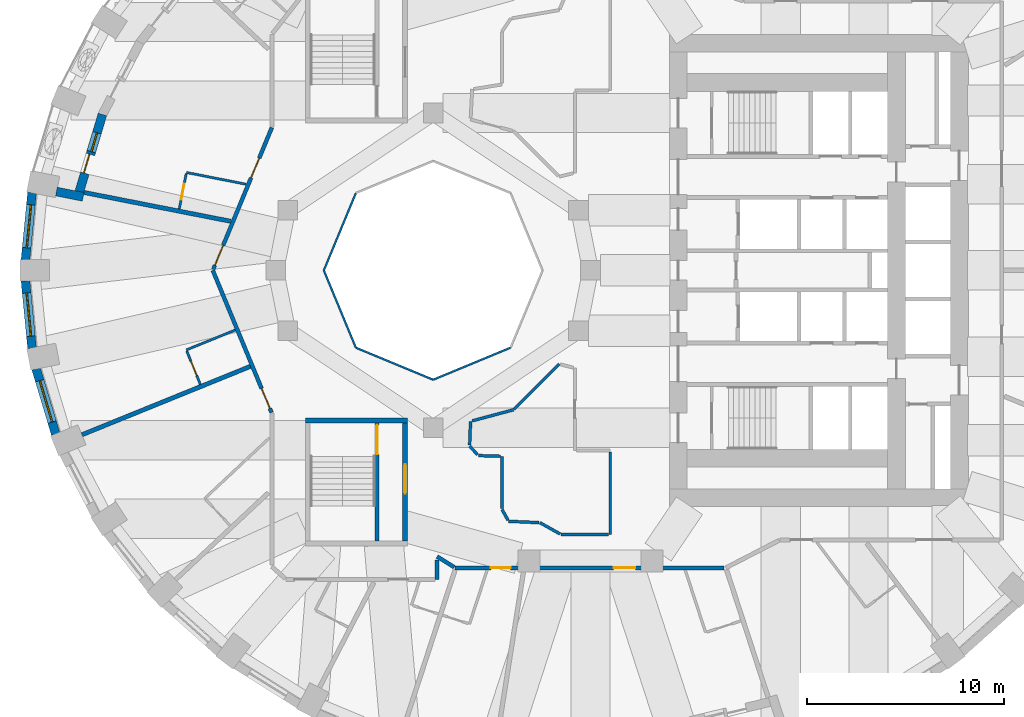
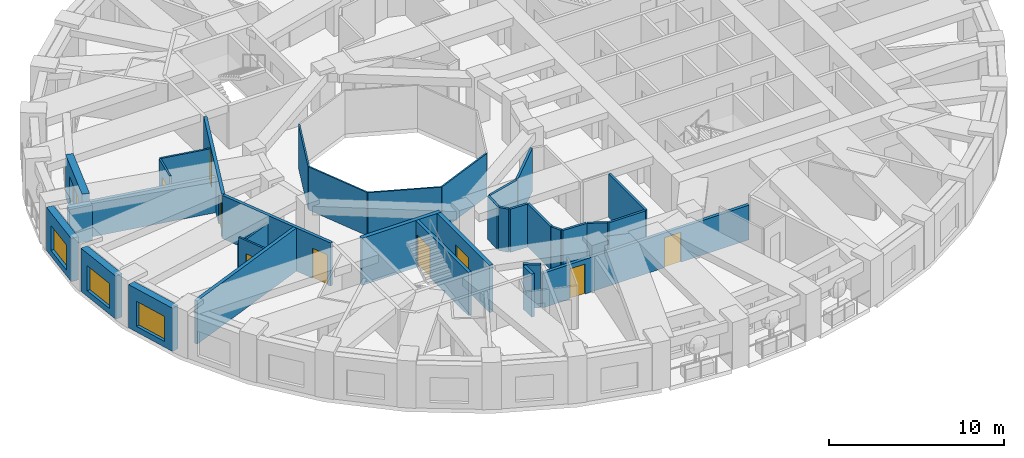
# One storey, part 4 of 13: 34 walls, 10 doors, 4 windows, 14 openings.
"""IFC4 building model written with IfcOpenShell, lengths in metres."""

from ifc_helpers import new_model, si_unit, direction, frame, frame_2d, origin, place, context, subcontext, project, spatial, rectangle, extrude, material, layer, layer_set, type_object, element, fill, save


model = new_model("IFC4")

# Units and contexts
model_context = context("Model", 3, precision=1e-05, world=origin(), true_north=direction((0.0, 1.0)))
body_context = subcontext(model_context, "Body", "Model", "MODEL_VIEW")
ifc_project = project(units=[si_unit("LENGTHUNIT", "METRE"), si_unit("AREAUNIT", "SQUARE_METRE"), si_unit("VOLUMEUNIT", "CUBIC_METRE"), si_unit("PLANEANGLEUNIT", "RADIAN"), si_unit("MASSUNIT", "GRAM", prefix="KILO")], contexts=[model_context])

# Site, building, storey
site_placement = place(None, origin())
site = spatial("IfcSite", under=ifc_project, at=site_placement, CompositionType="ELEMENT")
building_placement = place(site_placement, origin())
building = spatial("IfcBuilding", under=site, at=building_placement, Name="Taillehof Tower", CompositionType="ELEMENT")
storey_placement = place(building_placement, frame((0.0, 0.0, 74.5)))
storey = spatial("IfcBuildingStorey", under=building, at=storey_placement, Name="L20", CompositionType="ELEMENT", Elevation=74.5)

# Walls
ifc_material_1 = material(Name="Fire-resisting glass in steel frame", Category="steel")
ifc_layer_1 = layer(ifc_material_1, 0.10009765625)
ifc_layer_set_1 = layer_set([ifc_layer_1], Name="Atrium fire-resisting screen EI 60 100")
wall_type_1 = type_object("IfcWallType", Name="Atrium fire-resisting screen EI 60 100", PredefinedType="PARTITIONING", material=ifc_layer_set_1)
for number, where, z_axis, x_axis, name in (
    (1, (-4.07275390625, -3.92724609375, 0.0), (0.0, 0.0, 1.0), (-0.923860025149, -0.382730523909, 0.0), "Atrium screen"),
    (2, (-8.0, -5.55419921875, 0.0), (0.0, 0.0, 1.0), (-0.923860025149, 0.382730523909, 0.0), "Atrium screen"),
    (3, (-11.92724609375, -3.92724609375, 0.0), (0.0, 0.0, 1.0), (-0.382730523909, 0.923860025149, 0.0), "Atrium screen"),
    (4, (-13.55419921875, 0.0, 0.0), (0.0, 0.0, 1.0), (0.382730523909, 0.923860025149, 0.0), "Atrium screen"),
):
    element("IfcWall", number, at=place(storey_placement, frame(where, z_axis=z_axis, x_axis=x_axis)), inside=storey, type_object=wall_type_1, Name=name, PredefinedType="PARTITIONING", context=body_context, shape_type="SweptSolid", body=[
        extrude(rectangle(XDim=4.2509765625, YDim=0.10009765625, at=frame_2d((2.12548828125, 0.0))), origin(), (0.0, 0.0, 1.0), 3.02001953125),
    ])

# Wall, opening, window
ifc_material_2 = material(Name="Brick masonry", Category="masonry")
ifc_layer_2 = layer(ifc_material_2, 0.449951171875)
ifc_layer_set_2 = layer_set([ifc_layer_2], Name="Brick infill wall 450")
wall_type_2 = type_object("IfcWallType", Name="Brick infill wall 450", PredefinedType="SOLIDWALL", material=ifc_layer_set_2)
wall_1_placement = place(storey_placement, frame((-28.38671875, 3.95556640625, 0.0), z_axis=(0.0, 0.0, 1.0), x_axis=(-0.097389581596, -0.995246336038, 0.0)))
wall_1 = element("IfcWall", 5, at=wall_1_placement, inside=storey, type_object=wall_type_2, Name="Brick wall L20 bay 18", PredefinedType="SOLIDWALL", context=body_context, shape_type="SweptSolid", body=[
    extrude(rectangle(XDim=3.44189453125, YDim=0.449951171875, at=frame_2d((1.720947265625, 0.0))), origin(), (0.0, 0.0, 1.0), 3.02001953125),
])
opening_1_placement = place(wall_1_placement, frame((0.62109375, 0.0, 0.39990234375)))
opening_1 = element("IfcOpeningElement", 6, at=opening_1_placement, cuts=wall_1, Name="Opening W1", PredefinedType="OPENING", context=body_context, shape_type="SweptSolid", body=[
    extrude(rectangle(XDim=2.199951171875, YDim=1.75, at=frame_2d((1.10009765625, 0.875))), frame((0.0, 0.23486328125, 0.0), z_axis=(0.0, -1.0, 0.0), x_axis=(1.0, 0.0, 0.0)), (0.0, 0.0, 1.0), 0.469970703125),
])
ifc_material_3 = material(Name="Aluminium window frame with clear double glazing", Category="aluminium")
window_type_1 = type_object("IfcWindowType", Name="Deep-set window 2200x1750", PartitioningType="SINGLE_PANEL", PredefinedType="WINDOW", material=ifc_material_3)
window_1_placement = place(opening_1_placement, origin())
window_1 = element("IfcWindow", 7, at=window_1_placement, inside=storey, type_object=window_type_1, Name="W1", OverallHeight=1.75, OverallWidth=2.199951171875, PartitioningType="SINGLE_PANEL", PredefinedType="WINDOW", context=body_context, shape_type="SweptSolid", body=[
    extrude(rectangle(XDim=2.199951171875, YDim=1.75, at=frame_2d((1.10009765625, 0.875))), frame((0.0, 0.034912109375, 0.0), z_axis=(0.0, -1.0, 0.0), x_axis=(1.0, 0.0, 0.0)), (0.0, 0.0, 1.0), 0.06005859375),
])
fill(opening_1, window_1)

wall_2_placement = place(storey_placement, frame((-28.721923828125, -0.530029296875, 0.0), z_axis=(0.0, 0.0, 1.0), x_axis=(0.097389581596, -0.995246336038, 0.0)))
wall_2 = element("IfcWall", 8, at=wall_2_placement, inside=storey, type_object=wall_type_2, Name="Brick wall L20 bay 19", PredefinedType="SOLIDWALL", context=body_context, shape_type="SweptSolid", body=[
    extrude(rectangle(XDim=3.44189453125, YDim=0.449951171875, at=frame_2d((1.720947265625, 0.0))), origin(), (0.0, 0.0, 1.0), 3.02001953125),
])
opening_2_placement = place(wall_2_placement, frame((0.62109375, 0.0, 0.39990234375)))
opening_2 = element("IfcOpeningElement", 9, at=opening_2_placement, cuts=wall_2, Name="Opening W1", PredefinedType="OPENING", context=body_context, shape_type="SweptSolid", body=[
    extrude(rectangle(XDim=2.199951171875, YDim=1.75, at=frame_2d((1.10009765625, 0.875))), frame((0.0, 0.23486328125, 0.0), z_axis=(0.0, -1.0, 0.0), x_axis=(1.0, 0.0, 0.0)), (0.0, 0.0, 1.0), 0.469970703125),
])
window_2_placement = place(opening_2_placement, origin())
window_2 = element("IfcWindow", 10, at=window_2_placement, inside=storey, type_object=window_type_1, Name="W1", OverallHeight=1.75, OverallWidth=2.199951171875, PartitioningType="SINGLE_PANEL", PredefinedType="WINDOW", context=body_context, shape_type="SweptSolid", body=[
    extrude(rectangle(XDim=2.199951171875, YDim=1.75, at=frame_2d((1.10009765625, 0.875))), frame((0.0, 0.034912109375, 0.0), z_axis=(0.0, -1.0, 0.0), x_axis=(1.0, 0.0, 0.0)), (0.0, 0.0, 1.0), 0.06005859375),
])
fill(opening_2, window_2)

wall_3_placement = place(storey_placement, frame((-28.181884765625, -4.995849609375, 0.0), z_axis=(0.0, 0.0, 1.0), x_axis=(0.287064133733, -0.957911364963, 0.0)))
wall_3 = element("IfcWall", 11, at=wall_3_placement, inside=storey, type_object=wall_type_2, Name="Brick wall L20 bay 20", PredefinedType="SOLIDWALL", context=body_context, shape_type="SweptSolid", body=[
    extrude(rectangle(XDim=3.473388671875, YDim=0.449951171875, at=frame_2d((1.73681640625, 0.0))), origin(), (0.0, 0.0, 1.0), 3.02001953125),
])
opening_3_placement = place(wall_3_placement, frame((0.63671875, 0.0, 0.39990234375)))
opening_3 = element("IfcOpeningElement", 12, at=opening_3_placement, cuts=wall_3, Name="Opening W1", PredefinedType="OPENING", context=body_context, shape_type="SweptSolid", body=[
    extrude(rectangle(XDim=2.199951171875, YDim=1.75, at=frame_2d((1.10009765625, 0.875))), frame((0.0, 0.23486328125, 0.0), z_axis=(0.0, -1.0, 0.0), x_axis=(1.0, 0.0, 0.0)), (0.0, 0.0, 1.0), 0.469970703125),
])
window_3_placement = place(opening_3_placement, origin())
window_3 = element("IfcWindow", 13, at=window_3_placement, inside=storey, type_object=window_type_1, Name="W1", OverallHeight=1.75, OverallWidth=2.199951171875, PartitioningType="SINGLE_PANEL", PredefinedType="WINDOW", context=body_context, shape_type="SweptSolid", body=[
    extrude(rectangle(XDim=2.199951171875, YDim=1.75, at=frame_2d((1.10009765625, 0.875))), frame((0.0, 0.034912109375, 0.0), z_axis=(0.0, -1.0, 0.0), x_axis=(1.0, 0.0, 0.0)), (0.0, 0.0, 1.0), 0.06005859375),
])
fill(opening_3, window_3)

# Wall
wall_4_placement = place(storey_placement, frame((-27.15087890625, 4.008544921875, 0.0), z_axis=(0.0, 0.0, 1.0), x_axis=(0.981197182729, -0.1930080014, 0.0)))
element("IfcWall", 14, at=wall_4_placement, inside=storey, type_object=wall_type_2, Name="Brick reveal L20 pocket 4", PredefinedType="SOLIDWALL", context=body_context, shape_type="SweptSolid", body=[
    extrude(rectangle(XDim=1.39013671875, YDim=0.449951171875, at=frame_2d((0.695068359375, 0.0))), origin(), (0.0, 0.0, 1.0), 2.469970703125),
])

# Wall, openings, door, window
wall_5_placement = place(storey_placement, frame((-24.811767578125, 7.92529296875, 0.0), z_axis=(0.0, 0.0, 1.0), x_axis=(-0.286389028326, -0.95811341941, 0.0)))
wall_5 = element("IfcWall", 15, at=wall_5_placement, inside=storey, type_object=wall_type_2, Name="Brick wall L20 pocket bay 17", PredefinedType="SOLIDWALL", context=body_context, shape_type="SweptSolid", body=[
    extrude(rectangle(XDim=4.08837890625, YDim=0.449951171875, at=frame_2d((2.044189453125, 0.0))), origin(), (0.0, 0.0, 1.0), 3.02001953125),
])
opening_4_placement = place(wall_5_placement, frame((0.96923828125, 0.0, 0.39990234375)))
opening_4 = element("IfcOpeningElement", 16, at=opening_4_placement, cuts=wall_5, Name="Opening W5", PredefinedType="OPENING", context=body_context, shape_type="SweptSolid", body=[
    extrude(rectangle(XDim=1.0, YDim=1.75, at=frame_2d((0.5, 0.875))), frame((0.0, 0.23486328125, 0.0), z_axis=(0.0, -1.0, 0.0), x_axis=(1.0, 0.0, 0.0)), (0.0, 0.0, 1.0), 0.469970703125),
])
opening_5_placement = place(wall_5_placement, frame((2.119140625, 0.0, 0.0)))
opening_5 = element("IfcOpeningElement", 17, at=opening_5_placement, cuts=wall_5, Name="Opening D2096", PredefinedType="OPENING", context=body_context, shape_type="SweptSolid", body=[
    extrude(rectangle(XDim=1.0, YDim=2.14990234375, at=frame_2d((0.5, 1.074951171875))), frame((0.0, 0.23486328125, 0.0), z_axis=(0.0, -1.0, 0.0), x_axis=(1.0, 0.0, 0.0)), (0.0, 0.0, 1.0), 0.469970703125),
])
ifc_material_4 = material(Name="Aluminium door frame with clear double glazing", Category="aluminium")
door_type_1 = type_object("IfcDoorType", Name="Balcony door 1000x2150", OperationType="SINGLE_SWING_RIGHT", PredefinedType="DOOR", material=ifc_material_4)
door_1_placement = place(opening_5_placement, frame((1.0, 0.0, 0.0), z_axis=(0.0, 0.0, 1.0), x_axis=(-1.0, 0.0, 0.0)))
door_1 = element("IfcDoor", 18, at=door_1_placement, inside=storey, type_object=door_type_1, Name="Balcony door L20 bay 17", OperationType="SINGLE_SWING_LEFT", OverallHeight=2.14990234375, OverallWidth=1.0, PredefinedType="DOOR", context=body_context, shape_type="SweptSolid", body=[
    extrude(rectangle(XDim=1.0, YDim=2.14990234375, at=frame_2d((0.5, 1.074951171875))), frame((0.0, 0.0751953125, 0.0), z_axis=(0.0, -1.0, 0.0), x_axis=(1.0, 0.0, 0.0)), (0.0, 0.0, 1.0), 0.050048828125),
])
fill(opening_5, door_1)
ifc_material_5 = material(Name="Aluminium window frame with clear double glazing", Category="aluminium")
window_type_2 = type_object("IfcWindowType", Name="Fixed window 1000x1750", PartitioningType="SINGLE_PANEL", PredefinedType="WINDOW", material=ifc_material_5)
window_4_placement = place(opening_4_placement, origin())
window_4 = element("IfcWindow", 19, at=window_4_placement, inside=storey, type_object=window_type_2, Name="W5", OverallHeight=1.75, OverallWidth=1.0, PartitioningType="SINGLE_PANEL", PredefinedType="WINDOW", context=body_context, shape_type="SweptSolid", body=[
    extrude(rectangle(XDim=1.0, YDim=1.75, at=frame_2d((0.5, 0.875))), frame((0.0, 0.034912109375, 0.0), z_axis=(0.0, -1.0, 0.0), x_axis=(1.0, 0.0, 0.0)), (0.0, 0.0, 1.0), 0.06005859375),
])
fill(opening_4, window_4)

# Wall, openings, doors
ifc_material_6 = material(Name="Gypsum board on steel studs, two layers each side", Category="steel")
ifc_layer_3 = layer(ifc_material_6, 0.199951171875)
ifc_layer_set_3 = layer_set([ifc_layer_3], Name="Compartment wall corridor 200")
wall_type_3 = type_object("IfcWallType", Name="Compartment wall corridor 200", PredefinedType="PARTITIONING", material=ifc_layer_set_3)
wall_6_placement = place(storey_placement, frame((6.7783203125, -15.115478515625, 0.0), z_axis=(0.0, 0.0, 1.0), x_axis=(-1.0, 0.0, 0.0)))
wall_6 = element("IfcWall", 20, at=wall_6_placement, inside=storey, type_object=wall_type_3, Name="Compartment wall", PredefinedType="PARTITIONING", context=body_context, shape_type="SweptSolid", body=[
    extrude(rectangle(XDim=13.65673828125, YDim=0.199951171875, at=frame_2d((6.828369140625, 0.0))), origin(), (0.0, 0.0, 1.0), 2.419921875),
])
opening_6_placement = place(wall_6_placement, frame((10.8427734375, 0.0, 0.0)))
opening_6 = element("IfcOpeningElement", 21, at=opening_6_placement, cuts=wall_6, Name="Opening D2058", PredefinedType="OPENING", context=body_context, shape_type="SweptSolid", body=[
    extrude(rectangle(XDim=1.0, YDim=2.10009765625, at=frame_2d((0.5, 1.050048828125))), frame((0.0, 0.10986328125, 0.0), z_axis=(0.0, -1.0, 0.0), x_axis=(1.0, 0.0, 0.0)), (0.0, 0.0, 1.0), 0.219970703125),
])
opening_7_placement = place(wall_6_placement, frame((4.50537109375, 0.0, 0.0)))
opening_7 = element("IfcOpeningElement", 22, at=opening_7_placement, cuts=wall_6, Name="Opening D2060", PredefinedType="OPENING", context=body_context, shape_type="SweptSolid", body=[
    extrude(rectangle(XDim=1.10009765625, YDim=2.10009765625, at=frame_2d((0.550048828125, 1.050048828125))), frame((0.0, 0.10986328125, 0.0), z_axis=(0.0, -1.0, 0.0), x_axis=(1.0, 0.0, 0.0)), (0.0, 0.0, 1.0), 0.219970703125),
])
ifc_material_7 = material(Name="Timber door leaf in steel frame", Category="steel")
door_type_2 = type_object("IfcDoorType", Name="Guest room door EI 30 1000 x 2100", OperationType="SINGLE_SWING_LEFT", PredefinedType="DOOR", material=ifc_material_7)
door_2_placement = place(opening_6_placement, origin())
door_2 = element("IfcDoor", 23, at=door_2_placement, inside=storey, type_object=door_type_2, Name="D2058", OperationType="SINGLE_SWING_RIGHT", OverallHeight=2.10009765625, OverallWidth=1.0, PredefinedType="DOOR", context=body_context, shape_type="SweptSolid", body=[
    extrude(rectangle(XDim=1.0, YDim=2.10009765625, at=frame_2d((0.5, 1.050048828125))), frame((0.0, 0.02490234375, 0.0), z_axis=(0.0, -1.0, 0.0), x_axis=(1.0, 0.0, 0.0)), (0.0, 0.0, 1.0), 0.050048828125),
])
fill(opening_6, door_2)
ifc_material_8 = material(Name="Timber door leaf in steel frame", Category="steel")
door_type_3 = type_object("IfcDoorType", Name="Suite entrance door EI 30 1100 x 2100", OperationType="SINGLE_SWING_LEFT", PredefinedType="DOOR", material=ifc_material_8)
door_3_placement = place(opening_7_placement, origin())
door_3 = element("IfcDoor", 24, at=door_3_placement, inside=storey, type_object=door_type_3, Name="D2060", OperationType="SINGLE_SWING_LEFT", OverallHeight=2.10009765625, OverallWidth=1.10009765625, PredefinedType="DOOR", context=body_context, shape_type="SweptSolid", body=[
    extrude(rectangle(XDim=1.10009765625, YDim=2.10009765625, at=frame_2d((0.550048828125, 1.050048828125))), frame((0.0, 0.02490234375, 0.0), z_axis=(0.0, -1.0, 0.0), x_axis=(1.0, 0.0, 0.0)), (0.0, 0.0, 1.0), 0.050048828125),
])
fill(opening_7, door_3)

# Walls
wall_7_placement = place(storey_placement, frame((-6.9296875, -15.083984375, 0.0), z_axis=(0.0, 0.0, 1.0), x_axis=(-0.848439230109, 0.529292804421, 0.0)))
element("IfcWall", 25, at=wall_7_placement, inside=storey, type_object=wall_type_3, Name="Compartment wall", PredefinedType="PARTITIONING", context=body_context, shape_type="SweptSolid", body=[
    extrude(rectangle(XDim=1.02587890625, YDim=0.199951171875, at=frame_2d((0.512939453125, 0.0))), origin(), (0.0, 0.0, 1.0), 3.02001953125),
])
wall_8_placement = place(storey_placement, frame((-7.800048828125, -14.72119140625, 0.0), z_axis=(0.0, 0.0, 1.0), x_axis=(0.0, -1.0, 0.0)))
element("IfcWall", 26, at=wall_8_placement, inside=storey, type_object=wall_type_3, Name="Compartment wall", PredefinedType="PARTITIONING", context=body_context, shape_type="SweptSolid", body=[
    extrude(rectangle(XDim=0.978759765625, YDim=0.199951171875, at=frame_2d((0.4892578125, 0.0))), origin(), (0.0, 0.0, 1.0), 3.02001953125),
])

# Wall, opening, door
wall_9_placement = place(storey_placement, frame((-16.215087890625, -7.22119140625, 0.0), z_axis=(0.0, 0.0, 1.0), x_axis=(-0.382000362846, 0.924162173423, 0.0)))
wall_9 = element("IfcWall", 27, at=wall_9_placement, inside=storey, type_object=wall_type_3, Name="Compartment wall", PredefinedType="PARTITIONING", context=body_context, shape_type="SweptSolid", body=[
    extrude(rectangle(XDim=7.813720703125, YDim=0.199951171875, at=frame_2d((3.90673828125, 0.0))), origin(), (0.0, 0.0, 1.0), 3.02001953125),
])
opening_8_placement = place(wall_9_placement, frame((0.219970703125, 0.0, 0.0)))
opening_8 = element("IfcOpeningElement", 28, at=opening_8_placement, cuts=wall_9, Name="Opening D2052", PredefinedType="OPENING", context=body_context, shape_type="SweptSolid", body=[
    extrude(rectangle(XDim=1.10009765625, YDim=2.10009765625, at=frame_2d((0.550048828125, 1.050048828125))), frame((0.0, 0.10986328125, 0.0), z_axis=(0.0, -1.0, 0.0), x_axis=(1.0, 0.0, 0.0)), (0.0, 0.0, 1.0), 0.219970703125),
])
door_4_placement = place(opening_8_placement, origin())
door_4 = element("IfcDoor", 29, at=door_4_placement, inside=storey, type_object=door_type_3, Name="D2052", OperationType="SINGLE_SWING_LEFT", OverallHeight=2.10009765625, OverallWidth=1.10009765625, PredefinedType="DOOR", context=body_context, shape_type="SweptSolid", body=[
    extrude(rectangle(XDim=1.10009765625, YDim=2.10009765625, at=frame_2d((0.550048828125, 1.050048828125))), frame((0.0, 0.02490234375, 0.0), z_axis=(0.0, -1.0, 0.0), x_axis=(1.0, 0.0, 0.0)), (0.0, 0.0, 1.0), 0.050048828125),
])
fill(opening_8, door_4)

# Wall, openings, doors
wall_10_placement = place(storey_placement, frame((-19.17724609375, 0.0556640625, 0.0), z_axis=(0.0, 0.0, 1.0), x_axis=(0.382011450526, 0.924157590277, 0.0)))
wall_10 = element("IfcWall", 30, at=wall_10_placement, inside=storey, type_object=wall_type_3, Name="Compartment wall", PredefinedType="PARTITIONING", context=body_context, shape_type="SweptSolid", body=[
    extrude(rectangle(XDim=7.793701171875, YDim=0.199951171875, at=frame_2d((3.89697265625, 0.0))), origin(), (0.0, 0.0, 1.0), 3.02001953125),
])
opening_9_placement = place(wall_10_placement, frame((5.021728515625, 0.0, 0.0)))
opening_9 = element("IfcOpeningElement", 31, at=opening_9_placement, cuts=wall_10, Name="Opening D2048", PredefinedType="OPENING", context=body_context, shape_type="SweptSolid", body=[
    extrude(rectangle(XDim=1.10009765625, YDim=2.10009765625, at=frame_2d((0.550048828125, 1.050048828125))), frame((0.0, 0.10986328125, 0.0), z_axis=(0.0, -1.0, 0.0), x_axis=(1.0, 0.0, 0.0)), (0.0, 0.0, 1.0), 0.219970703125),
])
opening_10_placement = place(wall_10_placement, frame((0.219970703125, 0.0, 0.0)))
opening_10 = element("IfcOpeningElement", 32, at=opening_10_placement, cuts=wall_10, Name="Opening D2050", PredefinedType="OPENING", context=body_context, shape_type="SweptSolid", body=[
    extrude(rectangle(XDim=1.10009765625, YDim=2.10009765625, at=frame_2d((0.550048828125, 1.050048828125))), frame((0.0, 0.10986328125, 0.0), z_axis=(0.0, -1.0, 0.0), x_axis=(1.0, 0.0, 0.0)), (0.0, 0.0, 1.0), 0.219970703125),
])
door_5_placement = place(opening_9_placement, origin())
door_5 = element("IfcDoor", 33, at=door_5_placement, inside=storey, type_object=door_type_3, Name="D2048", OperationType="SINGLE_SWING_LEFT", OverallHeight=2.10009765625, OverallWidth=1.10009765625, PredefinedType="DOOR", context=body_context, shape_type="SweptSolid", body=[
    extrude(rectangle(XDim=1.10009765625, YDim=2.10009765625, at=frame_2d((0.550048828125, 1.050048828125))), frame((0.0, 0.02490234375, 0.0), z_axis=(0.0, -1.0, 0.0), x_axis=(1.0, 0.0, 0.0)), (0.0, 0.0, 1.0), 0.050048828125),
])
fill(opening_9, door_5)
door_6_placement = place(opening_10_placement, origin())
door_6 = element("IfcDoor", 34, at=door_6_placement, inside=storey, type_object=door_type_3, Name="D2050", OperationType="SINGLE_SWING_RIGHT", OverallHeight=2.10009765625, OverallWidth=1.10009765625, PredefinedType="DOOR", context=body_context, shape_type="SweptSolid", body=[
    extrude(rectangle(XDim=1.10009765625, YDim=2.10009765625, at=frame_2d((0.550048828125, 1.050048828125))), frame((0.0, 0.02490234375, 0.0), z_axis=(0.0, -1.0, 0.0), x_axis=(1.0, 0.0, 0.0)), (0.0, 0.0, 1.0), 0.050048828125),
])
fill(opening_10, door_6)

# Walls
ifc_material_9 = material(Name="Gypsum board on double steel studs with mineral wool", Category="steel")
ifc_layer_4 = layer(ifc_material_9, 0.219970703125)
ifc_layer_set_4 = layer_set([ifc_layer_4], Name="Compartment wall guest room 220")
wall_type_4 = type_object("IfcWallType", Name="Compartment wall guest room 220", PredefinedType="PARTITIONING", material=ifc_layer_set_4)
wall_11_placement = place(storey_placement, frame((-25.760986328125, 3.96435546875, 0.0), z_axis=(0.0, 0.0, 1.0), x_axis=(0.981212489184, -0.192930171486, 0.0)))
element("IfcWall", 35, at=wall_11_placement, inside=storey, type_object=wall_type_4, Name="Compartment wall", PredefinedType="PARTITIONING", context=body_context, shape_type="SweptSolid", body=[
    extrude(rectangle(XDim=7.6064453125, YDim=0.219970703125, at=frame_2d((3.80322265625, 0.0))), origin(), (0.0, 0.0, 1.0), 2.469970703125),
])
wall_12_placement = place(storey_placement, frame((-25.851318359375, -8.35400390625, 0.0), z_axis=(0.0, 0.0, 1.0), x_axis=(0.926554383207, 0.376160836558, 0.0)))
element("IfcWall", 36, at=wall_12_placement, inside=storey, type_object=wall_type_4, Name="Compartment wall", PredefinedType="PARTITIONING", context=body_context, shape_type="SweptSolid", body=[
    extrude(rectangle(XDim=9.23828125, YDim=0.219970703125, at=frame_2d((4.619140625, 0.0))), origin(), (0.0, 0.0, 1.0), 3.02001953125),
])
ifc_material_10 = material(Name="Gypsum board on steel studs, two layers each side", Category="steel")
ifc_layer_5 = layer(ifc_material_10, 0.14990234375)
ifc_layer_set_5 = layer_set([ifc_layer_5], Name="Compartment wall service room 150")
wall_type_5 = type_object("IfcWallType", Name="Compartment wall service room 150", PredefinedType="PARTITIONING", material=ifc_layer_set_5)
wall_13_placement = place(storey_placement, frame((1.0, -9.22998046875, 0.0), z_axis=(0.0, 0.0, 1.0), x_axis=(0.0, -1.0, 0.0)))
element("IfcWall", 37, at=wall_13_placement, inside=storey, type_object=wall_type_5, Name="Compartment wall", PredefinedType="PARTITIONING", context=body_context, shape_type="SweptSolid", body=[
    extrude(rectangle(XDim=4.185546875, YDim=0.14990234375, at=frame_2d((2.0927734375, 0.0))), origin(), (0.0, 0.0, 1.0), 3.02001953125),
])
wall_14_placement = place(storey_placement, frame((0.919921875, -13.41552734375, 0.0), z_axis=(0.0, 0.0, 1.0), x_axis=(-1.0, 0.0, 0.0)))
element("IfcWall", 38, at=wall_14_placement, inside=storey, type_object=wall_type_5, Name="Compartment wall", PredefinedType="PARTITIONING", context=body_context, shape_type="SweptSolid", body=[
    extrude(rectangle(XDim=2.4296875, YDim=0.14990234375, at=frame_2d((1.21484375, 0.0))), origin(), (0.0, 0.0, 1.0), 3.02001953125),
])
wall_15_placement = place(storey_placement, frame((-1.544921875, -13.39599609375, 0.0), z_axis=(0.0, 0.0, 1.0), x_axis=(-0.873678559566, 0.486503622345, 0.0)))
element("IfcWall", 39, at=wall_15_placement, inside=storey, type_object=wall_type_5, Name="Compartment wall", PredefinedType="PARTITIONING", context=body_context, shape_type="SweptSolid", body=[
    extrude(rectangle(XDim=1.1796875, YDim=0.14990234375, at=frame_2d((0.58984375, 0.0))), origin(), (0.0, 0.0, 1.0), 3.02001953125),
])
wall_16_placement = place(storey_placement, frame((-2.61572265625, -12.820068359375, 0.0), z_axis=(0.0, 0.0, 1.0), x_axis=(-0.99904515517, 0.04368956318, 0.0)))
element("IfcWall", 40, at=wall_16_placement, inside=storey, type_object=wall_type_5, Name="Compartment wall", PredefinedType="PARTITIONING", context=body_context, shape_type="SweptSolid", body=[
    extrude(rectangle(XDim=1.553466796875, YDim=0.14990234375, at=frame_2d((0.77685546875, 0.0))), origin(), (0.0, 0.0, 1.0), 3.02001953125),
])
wall_17_placement = place(storey_placement, frame((-4.1962890625, -12.699462890625, 0.0), z_axis=(0.0, 0.0, 1.0), x_axis=(-0.481398734925, 0.876501715921, 0.0)))
element("IfcWall", 41, at=wall_17_placement, inside=storey, type_object=wall_type_5, Name="Compartment wall", PredefinedType="PARTITIONING", context=body_context, shape_type="SweptSolid", body=[
    extrude(rectangle(XDim=0.630859375, YDim=0.14990234375, at=frame_2d((0.3154296875, 0.0))), origin(), (0.0, 0.0, 1.0), 3.02001953125),
])
wall_18_placement = place(storey_placement, frame((-4.5, -12.1064453125, 0.0), z_axis=(0.0, 0.0, 1.0), x_axis=(0.0, 1.0, 0.0)))
element("IfcWall", 42, at=wall_18_placement, inside=storey, type_object=wall_type_5, Name="Compartment wall", PredefinedType="PARTITIONING", context=body_context, shape_type="SweptSolid", body=[
    extrude(rectangle(XDim=2.656494140625, YDim=0.14990234375, at=frame_2d((1.328125, 0.0))), origin(), (0.0, 0.0, 1.0), 3.02001953125),
])
wall_19_placement = place(storey_placement, frame((-4.580078125, -9.447021484375, 0.0), z_axis=(0.0, 0.0, 1.0), x_axis=(-0.999526758156, 0.030761334993, 0.0)))
element("IfcWall", 43, at=wall_19_placement, inside=storey, type_object=wall_type_5, Name="Compartment wall", PredefinedType="PARTITIONING", context=body_context, shape_type="SweptSolid", body=[
    extrude(rectangle(XDim=1.126953125, YDim=0.14990234375, at=frame_2d((0.5634765625, 0.0))), origin(), (0.0, 0.0, 1.0), 3.02001953125),
])
wall_20_placement = place(storey_placement, frame((-5.746826171875, -9.36767578125, 0.0), z_axis=(0.0, 0.0, 1.0), x_axis=(-0.671757620202, 0.740771017049, 0.0)))
element("IfcWall", 44, at=wall_20_placement, inside=storey, type_object=wall_type_5, Name="Compartment wall", PredefinedType="PARTITIONING", context=body_context, shape_type="SweptSolid", body=[
    extrude(rectangle(XDim=0.597900390625, YDim=0.14990234375, at=frame_2d((0.298828125, 0.0))), origin(), (0.0, 0.0, 1.0), 3.02001953125),
])
wall_21_placement = place(storey_placement, frame((-6.146240234375, -8.86474609375, 0.0), z_axis=(0.0, 0.0, 1.0), x_axis=(0.038582079081, 0.999255434398, 0.0)))
element("IfcWall", 45, at=wall_21_placement, inside=storey, type_object=wall_type_5, Name="Compartment wall", PredefinedType="PARTITIONING", context=body_context, shape_type="SweptSolid", body=[
    extrude(rectangle(XDim=1.196044921875, YDim=0.14990234375, at=frame_2d((0.59814453125, 0.0))), origin(), (0.0, 0.0, 1.0), 3.02001953125),
])
wall_22_placement = place(storey_placement, frame((-6.02294921875, -7.649169921875, 0.0), z_axis=(0.0, 0.0, 1.0), x_axis=(0.965906186456, 0.258892330836, 0.0)))
element("IfcWall", 46, at=wall_22_placement, inside=storey, type_object=wall_type_5, Name="Compartment wall", PredefinedType="PARTITIONING", context=body_context, shape_type="SweptSolid", body=[
    extrude(rectangle(XDim=2.186767578125, YDim=0.14990234375, at=frame_2d((1.09326171875, 0.0))), origin(), (0.0, 0.0, 1.0), 3.02001953125),
])
wall_23_placement = place(storey_placement, frame((-3.88232421875, -7.0546875, 0.0), z_axis=(0.0, 0.0, 1.0), x_axis=(0.707069126061, 0.707144434307, 0.0)))
element("IfcWall", 47, at=wall_23_placement, inside=storey, type_object=wall_type_5, Name="Compartment wall", PredefinedType="PARTITIONING", context=body_context, shape_type="SweptSolid", body=[
    extrude(rectangle(XDim=3.241943359375, YDim=0.14990234375, at=frame_2d((1.62109375, 0.0))), origin(), (0.0, 0.0, 1.0), 3.02001953125),
])
ifc_material_11 = material(Name="Gypsum board on steel studs, moisture resistant", Category="steel")
ifc_layer_6 = layer(ifc_material_11, 0.1201171875)
ifc_layer_set_6 = layer_set([ifc_layer_6], Name="En-suite wall 120")
wall_type_6 = type_object("IfcWallType", Name="En-suite wall 120", PredefinedType="PARTITIONING", material=ifc_layer_set_6)
wall_24_placement = place(storey_placement, frame((-17.518310546875, 4.3818359375, 0.0), z_axis=(0.0, 0.0, 1.0), x_axis=(-0.981212916867, 0.192927996342, 0.0)))
element("IfcWall", 48, at=wall_24_placement, inside=storey, type_object=wall_type_6, Name="En-suite wall", PredefinedType="PARTITIONING", context=body_context, shape_type="SweptSolid", body=[
    extrude(rectangle(XDim=3.078857421875, YDim=0.1201171875, at=frame_2d((1.53955078125, 0.0))), origin(), (0.0, 0.0, 1.0), 3.02001953125),
])
wall_25_placement = place(storey_placement, frame((-18.0556640625, -3.030517578125, 0.0), z_axis=(0.0, 0.0, 1.0), x_axis=(-0.926540804766, -0.376194281061, 0.0)))
element("IfcWall", 49, at=wall_25_placement, inside=storey, type_object=wall_type_6, Name="En-suite wall", PredefinedType="PARTITIONING", context=body_context, shape_type="SweptSolid", body=[
    extrude(rectangle(XDim=2.6875, YDim=0.1201171875, at=frame_2d((1.34375, 0.0))), origin(), (0.0, 0.0, 1.0), 2.469970703125),
])

# Wall, opening, door
wall_26_placement = place(storey_placement, frame((-20.551025390625, 4.917236328125, 0.0), z_axis=(0.0, 0.0, 1.0), x_axis=(-0.19288291118, -0.981221780524, 0.0)))
wall_26 = element("IfcWall", 50, at=wall_26_placement, inside=storey, type_object=wall_type_6, Name="En-suite wall", PredefinedType="PARTITIONING", context=body_context, shape_type="SweptSolid", body=[
    extrude(rectangle(XDim=1.830322265625, YDim=0.1201171875, at=frame_2d((0.9150390625, 0.0))), origin(), (0.0, 0.0, 1.0), 3.02001953125),
])
opening_11_placement = place(wall_26_placement, frame((0.540283203125, 0.0, 0.0)))
opening_11 = element("IfcOpeningElement", 51, at=opening_11_placement, cuts=wall_26, Name="Opening D2049", PredefinedType="OPENING", context=body_context, shape_type="SweptSolid", body=[
    extrude(rectangle(XDim=0.800048828125, YDim=2.10009765625, at=frame_2d((0.39990234375, 1.050048828125))), frame((0.0, 0.070068359375, 0.0), z_axis=(0.0, -1.0, 0.0), x_axis=(1.0, 0.0, 0.0)), (0.0, 0.0, 1.0), 0.14013671875),
])
ifc_material_12 = material(Name="Timber door leaf in steel frame", Category="steel")
door_type_4 = type_object("IfcDoorType", Name="En-suite door 800 x 2100", OperationType="SINGLE_SWING_LEFT", PredefinedType="DOOR", material=ifc_material_12)
door_7_placement = place(opening_11_placement, origin())
door_7 = element("IfcDoor", 52, at=door_7_placement, inside=storey, type_object=door_type_4, Name="D2049", OperationType="SINGLE_SWING_LEFT", OverallHeight=2.10009765625, OverallWidth=0.800048828125, PredefinedType="DOOR", context=body_context, shape_type="SweptSolid", body=[
    extrude(rectangle(XDim=0.800048828125, YDim=2.10009765625, at=frame_2d((0.39990234375, 1.050048828125))), frame((0.0, 0.02490234375, 0.0), z_axis=(0.0, -1.0, 0.0), x_axis=(1.0, 0.0, 0.0)), (0.0, 0.0, 1.0), 0.050048828125),
])
fill(opening_11, door_7)

wall_27_placement = place(storey_placement, frame((-20.523193359375, -4.09716796875, 0.0), z_axis=(0.0, 0.0, 1.0), x_axis=(0.376216010002, -0.92653198208, 0.0)))
wall_27 = element("IfcWall", 53, at=wall_27_placement, inside=storey, type_object=wall_type_6, Name="En-suite wall", PredefinedType="PARTITIONING", context=body_context, shape_type="SweptSolid", body=[
    extrude(rectangle(XDim=1.830078125, YDim=0.1201171875, at=frame_2d((0.9150390625, 0.0))), origin(), (0.0, 0.0, 1.0), 3.02001953125),
])
opening_12_placement = place(wall_27_placement, frame((0.539794921875, 0.0, 0.0)))
opening_12 = element("IfcOpeningElement", 54, at=opening_12_placement, cuts=wall_27, Name="Opening D2051", PredefinedType="OPENING", context=body_context, shape_type="SweptSolid", body=[
    extrude(rectangle(XDim=0.800048828125, YDim=2.10009765625, at=frame_2d((0.39990234375, 1.050048828125))), frame((0.0, 0.070068359375, 0.0), z_axis=(0.0, -1.0, 0.0), x_axis=(1.0, 0.0, 0.0)), (0.0, 0.0, 1.0), 0.14013671875),
])
door_8_placement = place(opening_12_placement, origin())
door_8 = element("IfcDoor", 55, at=door_8_placement, inside=storey, type_object=door_type_4, Name="D2051", OperationType="SINGLE_SWING_LEFT", OverallHeight=2.10009765625, OverallWidth=0.800048828125, PredefinedType="DOOR", context=body_context, shape_type="SweptSolid", body=[
    extrude(rectangle(XDim=0.800048828125, YDim=2.10009765625, at=frame_2d((0.39990234375, 1.050048828125))), frame((0.0, 0.02490234375, 0.0), z_axis=(0.0, -1.0, 0.0), x_axis=(1.0, 0.0, 0.0)), (0.0, 0.0, 1.0), 0.050048828125),
])
fill(opening_12, door_8)

ifc_material_13 = material(Name="Concrete C50/60", Category="concrete")
ifc_layer_7 = layer(ifc_material_13, 0.199951171875)
ifc_layer_set_7 = layer_set([ifc_layer_7], Name="Shaft wall C50/60 200")
wall_type_7 = type_object("IfcWallType", Name="Shaft wall C50/60 200", PredefinedType="SHEAR", material=ifc_layer_set_7)
wall_28_placement = place(storey_placement, frame((-10.85009765625, -13.75, 0.0), z_axis=(0.0, 0.0, 1.0), x_axis=(0.0, 1.0, 0.0)))
wall_28 = element("IfcWall", 56, at=wall_28_placement, inside=storey, type_object=wall_type_7, Name="Shaft wall SW", PredefinedType="SHEAR", context=body_context, shape_type="SweptSolid", body=[
    extrude(rectangle(XDim=6.0, YDim=0.199951171875, at=frame_2d((3.0, 0.0))), origin(), (0.0, 0.0, 1.0), 3.02001953125),
])
opening_13_placement = place(wall_28_placement, frame((4.39990234375, 0.0, 0.0)))
opening_13 = element("IfcOpeningElement", 57, at=opening_13_placement, cuts=wall_28, Name="Opening D2013", PredefinedType="OPENING", context=body_context, shape_type="SweptSolid", body=[
    extrude(rectangle(XDim=1.5, YDim=2.10009765625, at=frame_2d((0.75, 1.050048828125))), frame((0.0, 0.10986328125, 0.0), z_axis=(0.0, -1.0, 0.0), x_axis=(1.0, 0.0, 0.0)), (0.0, 0.0, 1.0), 0.219970703125),
])
ifc_material_14 = material(Name="Steel-faced fire door", Category="steel")
door_type_5 = type_object("IfcDoorType", Name="Stair door 1500x2100", OperationType="DOUBLE_DOOR_SINGLE_SWING", PredefinedType="DOOR", material=ifc_material_14)
door_9_placement = place(opening_13_placement, origin())
door_9 = element("IfcDoor", 58, at=door_9_placement, inside=storey, type_object=door_type_5, Name="Stair lobby door S4", OperationType="DOUBLE_DOOR_SINGLE_SWING", OverallHeight=2.10009765625, OverallWidth=1.5, PredefinedType="DOOR", context=body_context, shape_type="SweptSolid", body=[
    extrude(rectangle(XDim=1.5, YDim=2.10009765625, at=frame_2d((0.75, 1.050048828125))), frame((0.0, 0.02490234375, 0.0), z_axis=(0.0, -1.0, 0.0), x_axis=(1.0, 0.0, 0.0)), (0.0, 0.0, 1.0), 0.050048828125),
])
fill(opening_13, door_9)

ifc_material_15 = material(Name="Concrete C50/60", Category="concrete")
ifc_layer_8 = layer(ifc_material_15, 0.25)
ifc_layer_set_8 = layer_set([ifc_layer_8], Name="Stair wall C50/60 250")
wall_type_8 = type_object("IfcWallType", Name="Stair wall C50/60 250", PredefinedType="SHEAR", material=ifc_layer_set_8)
wall_29_placement = place(storey_placement, frame((-9.425048828125, -13.75, -0.280029296875), z_axis=(0.0, 0.0, 1.0), x_axis=(0.0, 1.0, 0.0)))
wall_29 = element("IfcWall", 59, at=wall_29_placement, inside=storey, type_object=wall_type_8, Name="Stair wall SC", PredefinedType="SHEAR", context=body_context, shape_type="SweptSolid", body=[
    extrude(rectangle(XDim=6.0, YDim=0.25, at=frame_2d((3.0, 0.0))), origin(), (0.0, 0.0, 1.0), 3.300048828125),
])
opening_14_placement = place(wall_29_placement, frame((2.39990234375, 0.0, 0.280029296875)))
opening_14 = element("IfcOpeningElement", 60, at=opening_14_placement, cuts=wall_29, Name="Opening D2020", PredefinedType="OPENING", context=body_context, shape_type="SweptSolid", body=[
    extrude(rectangle(XDim=1.5, YDim=2.10009765625, at=frame_2d((0.75, 1.050048828125))), frame((0.0, 0.135009765625, 0.0), z_axis=(0.0, -1.0, 0.0), x_axis=(1.0, 0.0, 0.0)), (0.0, 0.0, 1.0), 0.27001953125),
])
door_10_placement = place(opening_14_placement, origin())
door_10 = element("IfcDoor", 61, at=door_10_placement, inside=storey, type_object=door_type_5, Name="Stair door S4", OperationType="DOUBLE_DOOR_SINGLE_SWING", OverallHeight=2.10009765625, OverallWidth=1.5, PredefinedType="DOOR", context=body_context, shape_type="SweptSolid", body=[
    extrude(rectangle(XDim=1.5, YDim=2.10009765625, at=frame_2d((0.75, 1.050048828125))), frame((0.0, 0.02490234375, 0.0), z_axis=(0.0, -1.0, 0.0), x_axis=(1.0, 0.0, 0.0)), (0.0, 0.0, 1.0), 0.050048828125),
])
fill(opening_14, door_10)

# Wall
wall_30_placement = place(storey_placement, frame((-14.5, -7.625, -0.280029296875), z_axis=(0.0, 0.0, 1.0), x_axis=(1.0, 0.0, 0.0)))
element("IfcWall", 62, at=wall_30_placement, inside=storey, type_object=wall_type_8, Name="Stair wall SC", PredefinedType="SHEAR", context=body_context, shape_type="SweptSolid", body=[
    extrude(rectangle(XDim=5.199951171875, YDim=0.25, at=frame_2d((2.60009765625, 0.0))), origin(), (0.0, 0.0, 1.0), 3.300048828125),
])

save(model, "model.ifc")
